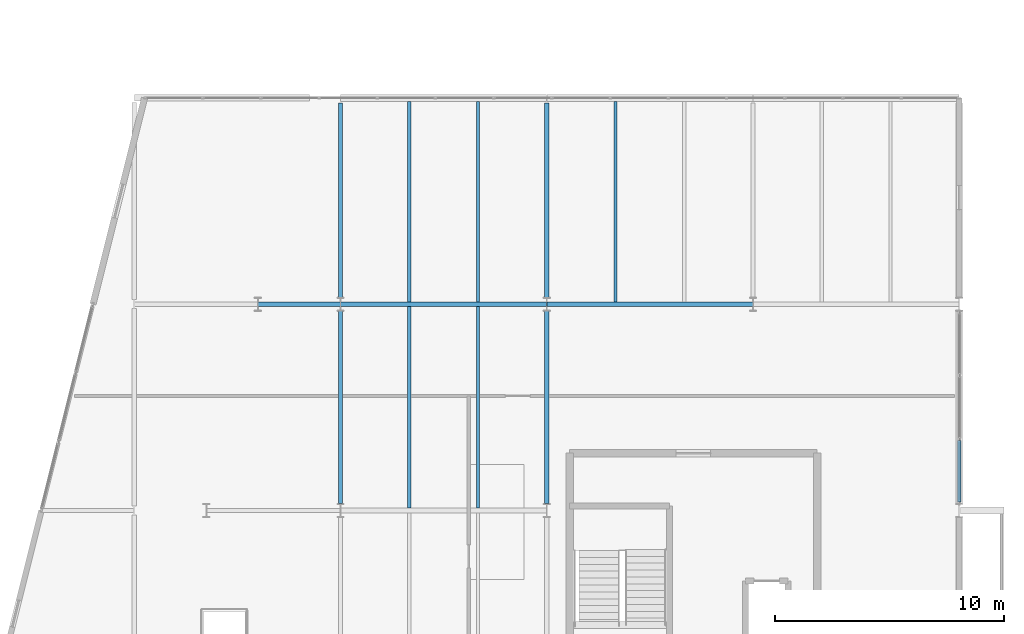
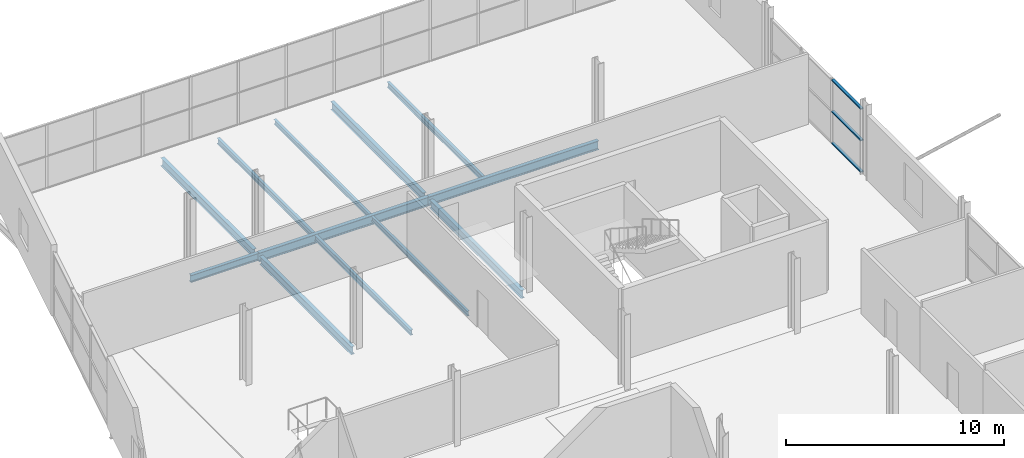
# One storey, part 42 of 59: 12 beams, 3 members, 1 element without a shape of its own.
"""IFC4 building model written with IfcOpenShell, lengths in metres."""

from ifc_helpers import new_model, si_unit, direction, frame, origin, origin_2d, place, context, subcontext, project, spatial, hollow_rectangle, i_section, extrude, material, layer, layer_set, material_profile, profile_set, type_object, element, aggregate, save


model = new_model("IFC4")

# Units and contexts
model_context = context("Model", 3, precision=1e-05, world=origin(), true_north=direction((0.0, 1.0)))
body_context = subcontext(model_context, "Body", "Model", "MODEL_VIEW")
ifc_project = project(units=[si_unit("LENGTHUNIT", "METRE"), si_unit("AREAUNIT", "SQUARE_METRE"), si_unit("VOLUMEUNIT", "CUBIC_METRE"), si_unit("PLANEANGLEUNIT", "RADIAN"), si_unit("MASSUNIT", "GRAM", prefix="KILO")], contexts=[model_context])

# Site, building, storey
site_placement = place(None, origin())
site = spatial("IfcSite", under=ifc_project, at=site_placement, CompositionType="ELEMENT")
building_placement = place(site_placement, origin())
building = spatial("IfcBuilding", under=site, at=building_placement, Name="Deido Ridge Mobility Hub", CompositionType="ELEMENT")
storey_placement = place(building_placement, frame((0.0, 0.0, 21.0)))
storey = spatial("IfcBuildingStorey", under=building, at=storey_placement, Name="L05", CompositionType="ELEMENT", Elevation=21.0)

# Beams
ifc_material_1 = material(Name="Steel S355J2 EN 10025-2", Category="steel")
ifc_material_profile_1 = material_profile(ifc_material_1, i_section(OverallWidth=0.179931640625, OverallDepth=0.39990234375, WebThickness=0.008544921875, FlangeThickness=0.013427734375, FilletRadius=0.02099609375, at=origin_2d()), Name="IPE 400")
ifc_profile_set_1 = profile_set([ifc_material_profile_1], Name="Steel S355J2 EN 10025-2")
beam_type_1 = type_object("IfcBeamType", Name="BM-IPE400", PredefinedType="BEAM", material=ifc_profile_set_1)
beam_1_placement = place(storey_placement, frame((149.40771484375, 54.0, -0.445068359375), z_axis=(1.0, 0.0, 0.0), x_axis=(0.0, 1.0, 0.0)))
element("IfcBeam", 1, at=beam_1_placement, inside=storey, type_object=beam_type_1, Name="Floor beam B5", PredefinedType="BEAM", context=body_context, shape_type="SweptSolid", body=[
    extrude(i_section(OverallWidth=0.179931640625, OverallDepth=0.39990234375, WebThickness=0.008544921875, FlangeThickness=0.013427734375, FilletRadius=0.02099609375, at=origin_2d()), origin(), (0.0, 0.0, 1.0), 3.58447265625),
])
ifc_material_profile_2 = material_profile(ifc_material_1, i_section(OverallWidth=0.18994140625, OverallDepth=0.449951171875, WebThickness=0.009521484375, FlangeThickness=0.0146484375, FilletRadius=0.02099609375, at=origin_2d()), Name="IPE 450")
ifc_profile_set_2 = profile_set([ifc_material_profile_2], Name="Steel S355J2 EN 10025-2")
beam_type_2 = type_object("IfcBeamType", Name="BM-IPE450", PredefinedType="BEAM", material=ifc_profile_set_2)
beam_2_placement = place(storey_placement, frame((153.0, 45.300048828125, -0.469970703125), z_axis=(0.0, 1.0, 0.0), x_axis=(-1.0, 0.0, 0.0)))
element("IfcBeam", 2, at=beam_2_placement, inside=storey, type_object=beam_type_2, Name="Floor beam B4", PredefinedType="BEAM", context=body_context, shape_type="SweptSolid", body=[
    extrude(i_section(OverallWidth=0.18994140625, OverallDepth=0.449951171875, WebThickness=0.009521484375, FlangeThickness=0.0146484375, FilletRadius=0.02099609375, at=origin_2d()), origin(), (0.0, 0.0, 1.0), 8.39990234375),
])
beam_3_placement = place(storey_placement, frame((153.0, 54.300048828125, -0.469970703125), z_axis=(0.0, 1.0, 0.0), x_axis=(-1.0, 0.0, 0.0)))
element("IfcBeam", 3, at=beam_3_placement, inside=storey, type_object=beam_type_2, Name="Floor beam B4", PredefinedType="BEAM", context=body_context, shape_type="SweptSolid", body=[
    extrude(i_section(OverallWidth=0.18994140625, OverallDepth=0.449951171875, WebThickness=0.009521484375, FlangeThickness=0.0146484375, FilletRadius=0.02099609375, at=origin_2d()), origin(), (0.0, 0.0, 1.0), 8.474853515625),
])
beam_4_placement = place(storey_placement, frame((162.0, 45.300048828125, -0.469970703125), z_axis=(0.0, 1.0, 0.0), x_axis=(-1.0, 0.0, 0.0)))
element("IfcBeam", 4, at=beam_4_placement, inside=storey, type_object=beam_type_2, Name="Floor beam B4", PredefinedType="BEAM", context=body_context, shape_type="SweptSolid", body=[
    extrude(i_section(OverallWidth=0.18994140625, OverallDepth=0.449951171875, WebThickness=0.009521484375, FlangeThickness=0.0146484375, FilletRadius=0.02099609375, at=origin_2d()), origin(), (0.0, 0.0, 1.0), 8.39990234375),
])
beam_5_placement = place(storey_placement, frame((162.0, 54.300048828125, -0.469970703125), z_axis=(0.0, 1.0, 0.0), x_axis=(-1.0, 0.0, 0.0)))
element("IfcBeam", 5, at=beam_5_placement, inside=storey, type_object=beam_type_2, Name="Floor beam B4", PredefinedType="BEAM", context=body_context, shape_type="SweptSolid", body=[
    extrude(i_section(OverallWidth=0.18994140625, OverallDepth=0.449951171875, WebThickness=0.009521484375, FlangeThickness=0.0146484375, FilletRadius=0.02099609375, at=origin_2d()), origin(), (0.0, 0.0, 1.0), 8.474853515625),
])
ifc_material_profile_3 = material_profile(ifc_material_1, i_section(OverallWidth=0.199951171875, OverallDepth=0.5, WebThickness=0.01025390625, FlangeThickness=0.01611328125, FilletRadius=0.02099609375, at=origin_2d()), Name="IPE 500")
ifc_profile_set_3 = profile_set([ifc_material_profile_3], Name="Steel S355J2 EN 10025-2")
beam_type_3 = type_object("IfcBeamType", Name="BM-IPE500", PredefinedType="BEAM", material=ifc_profile_set_3)
for number, where, z_axis, x_axis, name in (
    (6, (153.0078125, 54.0, -0.4951171875), (1.0, 0.0, 0.0), (0.0, 1.0, 0.0), "Floor beam B3"),
    (7, (162.0078125, 54.0, -0.4951171875), (1.0, 0.0, 0.0), (0.0, 1.0, 0.0), "Floor beam B3"),
):
    element("IfcBeam", number, at=place(storey_placement, frame(where, z_axis=z_axis, x_axis=x_axis)), inside=storey, type_object=beam_type_3, Name=name, PredefinedType="BEAM", context=body_context, shape_type="SweptSolid", body=[
        extrude(i_section(OverallWidth=0.199951171875, OverallDepth=0.5, WebThickness=0.01025390625, FlangeThickness=0.01611328125, FilletRadius=0.02099609375, at=origin_2d()), origin(), (0.0, 0.0, 1.0), 8.984375),
    ])
ifc_material_profile_4 = material_profile(ifc_material_1, i_section(OverallWidth=0.135009765625, OverallDepth=0.27001953125, WebThickness=0.006591796875, FlangeThickness=0.01025390625, FilletRadius=0.014892578125, at=origin_2d()), Name="IPE 270")
ifc_profile_set_4 = profile_set([ifc_material_profile_4], Name="Steel S355J2 EN 10025-2")
beam_type_4 = type_object("IfcBeamType", Name="JST-IPE270", PredefinedType="JOIST", material=ifc_profile_set_4)
beam_6_placement = place(storey_placement, frame((159.0, 45.10009765625, -0.3798828125), z_axis=(0.0, 1.0, 0.0), x_axis=(-1.0, 0.0, 0.0)))
element("IfcBeam", 8, at=beam_6_placement, inside=storey, type_object=beam_type_4, Name="Composite joist J4", PredefinedType="JOIST", context=body_context, shape_type="SweptSolid", body=[
    extrude(i_section(OverallWidth=0.135009765625, OverallDepth=0.27001953125, WebThickness=0.006591796875, FlangeThickness=0.01025390625, FilletRadius=0.014892578125, at=origin_2d()), origin(), (0.0, 0.0, 1.0), 8.7998046875),
])
beam_7_placement = place(storey_placement, frame((159.0, 54.10009765625, -0.3798828125), z_axis=(0.0, 1.0, 0.0), x_axis=(-1.0, 0.0, 0.0)))
element("IfcBeam", 9, at=beam_7_placement, inside=storey, type_object=beam_type_4, Name="Composite joist J4", PredefinedType="JOIST", context=body_context, shape_type="SweptSolid", body=[
    extrude(i_section(OverallWidth=0.135009765625, OverallDepth=0.27001953125, WebThickness=0.006591796875, FlangeThickness=0.01025390625, FilletRadius=0.014892578125, at=origin_2d()), origin(), (0.0, 0.0, 1.0), 8.75),
])
ifc_material_profile_5 = material_profile(ifc_material_1, i_section(OverallWidth=0.14990234375, OverallDepth=0.300048828125, WebThickness=0.007080078125, FlangeThickness=0.0107421875, FilletRadius=0.014892578125, at=origin_2d()), Name="IPE 300")
ifc_profile_set_5 = profile_set([ifc_material_profile_5], Name="Steel S355J2 EN 10025-2")
beam_type_5 = type_object("IfcBeamType", Name="JST-IPE300", PredefinedType="JOIST", material=ifc_profile_set_5)
beam_8_placement = place(storey_placement, frame((156.0, 45.10009765625, -0.39501953125), z_axis=(0.0, 1.0, 0.0), x_axis=(-1.0, 0.0, 0.0)))
element("IfcBeam", 10, at=beam_8_placement, inside=storey, type_object=beam_type_5, Name="Composite joist J3", PredefinedType="JOIST", context=body_context, shape_type="SweptSolid", body=[
    extrude(i_section(OverallWidth=0.14990234375, OverallDepth=0.300048828125, WebThickness=0.007080078125, FlangeThickness=0.0107421875, FilletRadius=0.014892578125, at=origin_2d()), origin(), (0.0, 0.0, 1.0), 8.7998046875),
])
for number, where, z_axis, x_axis, name in (
    (11, (156.0, 54.10009765625, -0.39501953125), (0.0, 1.0, 0.0), (-1.0, 0.0, 0.0), "Composite joist J3"),
    (12, (165.0, 54.10009765625, -0.39501953125), (0.0, 1.0, 0.0), (-1.0, 0.0, 0.0), "Composite joist J3"),
):
    element("IfcBeam", number, at=place(storey_placement, frame(where, z_axis=z_axis, x_axis=x_axis)), inside=storey, type_object=beam_type_5, Name=name, PredefinedType="JOIST", context=body_context, shape_type="SweptSolid", body=[
        extrude(i_section(OverallWidth=0.14990234375, OverallDepth=0.300048828125, WebThickness=0.007080078125, FlangeThickness=0.0107421875, FilletRadius=0.014892578125, at=origin_2d()), origin(), (0.0, 0.0, 1.0), 8.75),
    ])

# Curtain wall, members
ifc_material_2 = material(Name="Anodised aluminium EN AW-6063 T6", Category="aluminium")
ifc_layer = layer(ifc_material_2, 0.22509765625, Name="Anodised aluminium EN AW-6063 T6")
ifc_layer_set = layer_set([ifc_layer], Name="Anodised aluminium EN AW-6063 T6")
curtain_wall_type = type_object("IfcCurtainWallType", Name="CW-UF-5", PredefinedType="USERDEFINED", material=ifc_layer_set)
curtain_wall_placement = place(storey_placement, origin())
curtain_wall = element("IfcCurtainWall", 13, at=curtain_wall_placement, inside=storey, type_object=curtain_wall_type, Name="Unitised curtain wall CW5", ObjectType="UNITISED FACADE", PredefinedType="USERDEFINED")
ifc_material_profile_6 = material_profile(ifc_material_2, hollow_rectangle(XDim=0.14501953125, YDim=0.070068359375, WallThickness=0.00390625, at=origin_2d()), Name="RHS 145x70x4")
ifc_profile_set_6 = profile_set([ifc_material_profile_6], Name="Anodised aluminium EN AW-6063 T6")
member_type = type_object("IfcMemberType", Name="MEM-TRN-145X70", PredefinedType="USERDEFINED", material=ifc_profile_set_6)
member_1_placement = place(storey_placement, frame((180.0, 45.3701171875, 0.034912109375), z_axis=(0.0, 1.0, 0.0), x_axis=(-1.0, 0.0, 0.0)))
member_1 = element("IfcMember", 14, at=member_1_placement, type_object=member_type, Name="CW5 transom 1.1", ObjectType="TRANSOM", PredefinedType="USERDEFINED", context=body_context, shape_type="SweptSolid", body=[
    extrude(hollow_rectangle(XDim=0.14501953125, YDim=0.070068359375, WallThickness=0.00390625, at=origin_2d()), origin(), (0.0, 0.0, 1.0), 2.69482421875),
])
member_2_placement = place(storey_placement, frame((180.0, 45.3701171875, 1.800048828125), z_axis=(0.0, 1.0, 0.0), x_axis=(-1.0, 0.0, 0.0)))
member_2 = element("IfcMember", 15, at=member_2_placement, type_object=member_type, Name="CW5 transom 1.2", ObjectType="TRANSOM", PredefinedType="USERDEFINED", context=body_context, shape_type="SweptSolid", body=[
    extrude(hollow_rectangle(XDim=0.14501953125, YDim=0.070068359375, WallThickness=0.00390625, at=origin_2d()), origin(), (0.0, 0.0, 1.0), 2.69482421875),
])
member_3_placement = place(storey_placement, frame((180.0, 45.3701171875, 3.56494140625), z_axis=(0.0, 1.0, 0.0), x_axis=(-1.0, 0.0, 0.0)))
member_3 = element("IfcMember", 16, at=member_3_placement, type_object=member_type, Name="CW5 transom 1.3", ObjectType="TRANSOM", PredefinedType="USERDEFINED", context=body_context, shape_type="SweptSolid", body=[
    extrude(hollow_rectangle(XDim=0.14501953125, YDim=0.070068359375, WallThickness=0.00390625, at=origin_2d()), origin(), (0.0, 0.0, 1.0), 2.69482421875),
])
aggregate(curtain_wall, [member_1, member_2, member_3])

save(model, "model.ifc")
